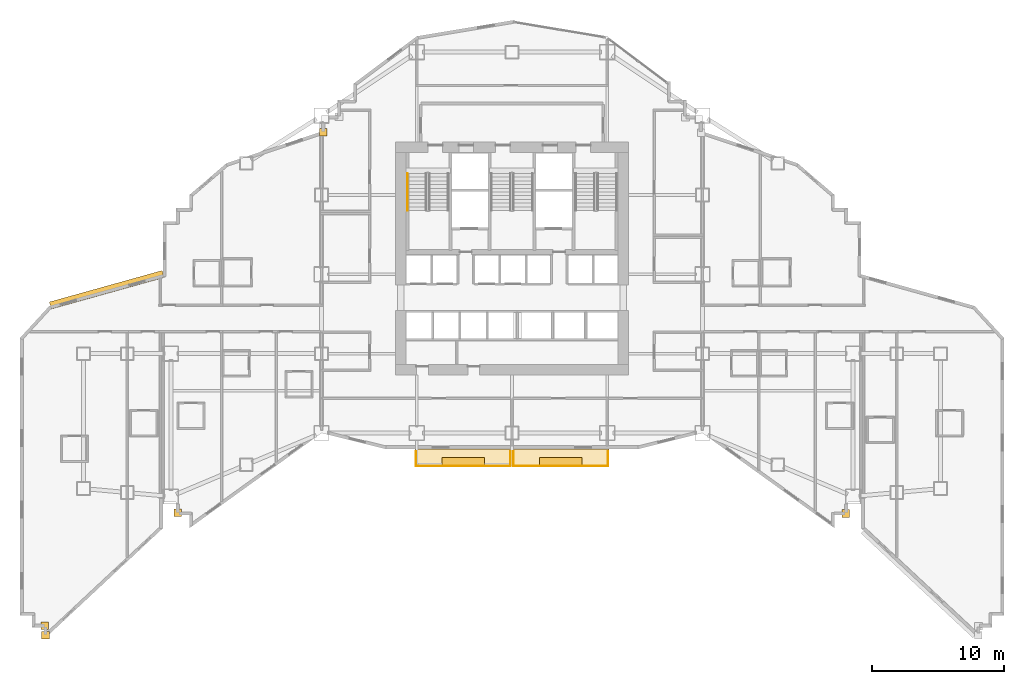
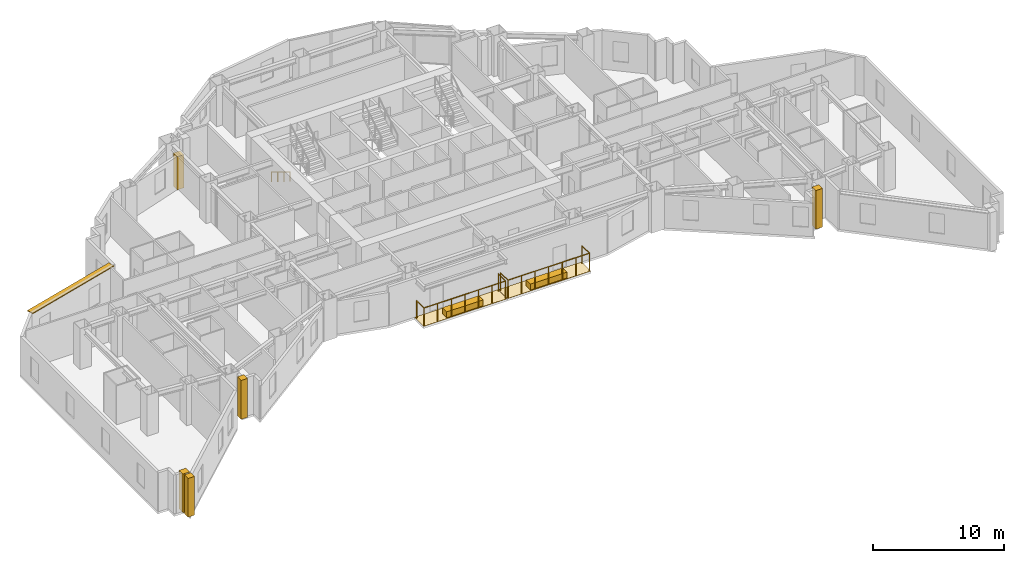
# One storey, part 14 of 16: 9 coverings, 5 railings, 1 shading device.
"""IFC4 building model written with IfcOpenShell, lengths in metres."""

from ifc_helpers import new_model, si_unit, direction, frame, origin, origin_2d, place, context, subcontext, project, spatial, polyline, rectangle, circle, outline, extrude, material, layer, layer_set, type_object, element, save


model = new_model("IFC4")

# Units and contexts
model_context = context("Model", 3, precision=1e-05, world=origin(), true_north=direction((0.0, 1.0)))
body_context = subcontext(model_context, "Body", "Model", "MODEL_VIEW")
ifc_project = project(units=[si_unit("LENGTHUNIT", "METRE"), si_unit("AREAUNIT", "SQUARE_METRE"), si_unit("VOLUMEUNIT", "CUBIC_METRE"), si_unit("PLANEANGLEUNIT", "RADIAN"), si_unit("MASSUNIT", "GRAM", prefix="KILO")], contexts=[model_context])

# Site, building, storey
site_placement = place(None, origin())
site = spatial("IfcSite", under=ifc_project, at=site_placement, CompositionType="ELEMENT")
building_placement = place(site_placement, origin())
building = spatial("IfcBuilding", under=site, at=building_placement, Name="Haolan Belvedere Tower", CompositionType="ELEMENT")
storey_placement = place(building_placement, frame((0.0, 0.0, 62.800048828125)))
storey = spatial("IfcBuildingStorey", under=building, at=storey_placement, Name="L15", CompositionType="ELEMENT", Elevation=62.800048828125)

# Coverings
ifc_material_1 = material(Name="Pale champagne-silver anodised aluminium rainscreen cladding", Category="aluminium")
ifc_layer_1 = layer(ifc_material_1, 0.034912109375, Name="Pale champagne-silver anodised aluminium rainscreen cladding")
ifc_layer_set_1 = layer_set([ifc_layer_1], Name="Pale champagne-silver anodised aluminium rainscreen cladding")
covering_type_1 = type_object("IfcCoveringType", Name="COV-CLAD-35", PredefinedType="CLADDING", material=ifc_layer_set_1)
for number, where, z_axis, x_axis, name in (
    (1, (3.077392578125, 7.02001953125, 0.0), (0.0, 0.0, 1.0), (1.0, 0.0, 0.0), "L15 pale-metal serrated corner cladding trim 1"),
    (2, (3.1201171875, 6.318603515625, 0.0), (0.0, 0.0, 1.0), (1.0, 0.0, 0.0), "L15 pale-metal serrated corner cladding trim 2"),
    (3, (13.1201171875, 15.5625, 0.0), (0.0, 0.0, 1.0), (1.0, 0.0, 0.0), "L15 pale-metal serrated corner cladding trim 3"),
    (4, (63.637451171875, 15.52001953125, 0.0), (0.0, 0.0, 1.0), (1.0, 0.0, 0.0), "L15 pale-metal serrated corner cladding trim 4"),
):
    element("IfcCovering", number, at=place(storey_placement, frame(where, z_axis=z_axis, x_axis=x_axis)), inside=storey, type_object=covering_type_1, Name=name, PredefinedType="CLADDING", context=body_context, shape_type="SweptSolid", body=[
        extrude(rectangle(XDim=0.580078125, YDim=0.580078125, at=origin_2d()), origin(), (0.0, 0.0, 1.0), 3.60009765625),
    ])
covering_1_placement = place(storey_placement, frame((24.1201171875, 44.35595703125, 0.0), z_axis=(0.0, 0.0, 1.0), x_axis=(1.0, 0.0, 0.0)))
element("IfcCovering", 5, at=covering_1_placement, inside=storey, type_object=covering_type_1, Name="L15 pale-metal serrated corner cladding trim 10", PredefinedType="CLADDING", context=body_context, shape_type="SweptSolid", body=[
    extrude(rectangle(XDim=0.580078125, YDim=0.580078125, at=origin_2d()), origin(), (0.0, 0.0, 1.0), 3.096923828125),
])
ifc_material_2 = material(Name="Engineered lightweight planted garden soil substrate", Category="masonry")
ifc_layer_2 = layer(ifc_material_2, 0.550048828125, Name="Engineered lightweight planted garden soil substrate")
ifc_layer_set_2 = layer_set([ifc_layer_2], Name="Engineered lightweight planted garden soil substrate")
covering_type_2 = type_object("IfcCoveringType", Name="COV-PLANT-550", PredefinedType="MEMBRANE", material=ifc_layer_set_2)
for number, where, z_axis, x_axis, name in (
    (6, (34.715087890625, 19.43994140625, 0.0), (0.0, 0.0, 1.0), (1.0, 0.0, 0.0), "L15 structural tree balcony PLANTER box 1"),
    (7, (42.0849609375, 19.43994140625, 0.0), (0.0, 0.0, 1.0), (1.0, 0.0, 0.0), "L15 structural tree balcony PLANTER box 2"),
):
    element("IfcCovering", number, at=place(storey_placement, frame(where, z_axis=z_axis, x_axis=x_axis)), inside=storey, type_object=covering_type_2, Name=name, PredefinedType="MEMBRANE", context=body_context, shape_type="SweptSolid", body=[
        extrude(rectangle(XDim=3.199951171875, YDim=0.64990234375, at=origin_2d()), origin(), (0.0, 0.0, 1.0), 0.550048828125),
    ])
ifc_material_3 = material(Name="Elastomeric waterproof roofing membrane and stone pavers", Category="masonry")
ifc_layer_3 = layer(ifc_material_3, 0.02001953125, Name="Elastomeric waterproof roofing membrane and stone pavers")
ifc_layer_set_3 = layer_set([ifc_layer_3], Name="Elastomeric waterproof roofing membrane and stone pavers")
covering_type_3 = type_object("IfcCoveringType", Name="COV-ROOF-20", PredefinedType="ROOFING", material=ifc_layer_set_3)
covering_2_placement = place(storey_placement, frame((0.0, 0.0, -0.02001953125)))
element("IfcCovering", 8, at=covering_2_placement, inside=storey, type_object=covering_type_3, Name="L15 tree-balcony waterproof membrane 1", PredefinedType="ROOFING", context=body_context, shape_type="SweptSolid", body=[
    extrude(outline(polyline([(31.050048828125, 19.02001953125), (38.3798828125, 19.02001953125), (38.3798828125, 20.39990234375), (31.050048828125, 20.39990234375), (31.050048828125, 19.02001953125)])), origin(), (0.0, 0.0, 1.0), 0.02001953125),
])
covering_3_placement = place(storey_placement, frame((0.0, 0.0, -0.02001953125)))
element("IfcCovering", 9, at=covering_3_placement, inside=storey, type_object=covering_type_3, Name="L15 tree-balcony waterproof membrane 2", PredefinedType="ROOFING", context=body_context, shape_type="SweptSolid", body=[
    extrude(outline(polyline([(38.419921875, 19.02001953125), (45.75, 19.02001953125), (45.75, 20.39990234375), (38.419921875, 20.39990234375), (38.419921875, 19.02001953125)])), origin(), (0.0, 0.0, 1.0), 0.02001953125),
])

# Railings
ifc_material_4 = material(Name="Brushed stainless steel 304", Category="steel")
railing_type_1 = type_object("IfcRailingType", Name="RL-STAIR-HND-900", PredefinedType="HANDRAIL", material=ifc_material_4)
railing_1_placement = place(storey_placement, frame((30.5, 41.22998046875, 0.172607421875)))
element("IfcRailing", 10, at=railing_1_placement, inside=storey, type_object=railing_type_1, Name="L15 ST1 stair handrail 1", PredefinedType="HANDRAIL", context=body_context, shape_type="SweptSolid", body=[
    extrude(circle(Radius=0.02392578125, at=origin_2d()), frame((0.0, 0.0, 0.8759765625), z_axis=(0.0, -0.851089632645, 0.525020415988), x_axis=(1.0, 0.0, 0.0)), (0.0, 0.0, 1.0), 3.2900390625),
    extrude(circle(Radius=0.02099609375, at=origin_2d()), origin(), (0.0, 0.0, 1.0), 0.851806640625),
    extrude(circle(Radius=0.02099609375, at=origin_2d()), frame((0.0, -0.933349609375, 0.57568359375)), (0.0, 0.0, 1.0), 0.851806640625),
    extrude(circle(Radius=0.02099609375, at=origin_2d()), frame((0.0, -1.86669921875, 1.151611328125)), (0.0, 0.0, 1.0), 0.851806640625),
    extrude(circle(Radius=0.02099609375, at=origin_2d()), frame((0.0, -2.800048828125, 1.727294921875)), (0.0, 0.0, 1.0), 0.851806640625),
])
ifc_material_5 = material(Name="Anodised aluminium and laminated glass balustrade", Category="aluminium")
railing_type_2 = type_object("IfcRailingType", Name="RL-TER-BAL-1150", PredefinedType="BALUSTRADE", material=ifc_material_5)
railing_2_placement = place(storey_placement, frame((31.1298828125, 19.10009765625, 0.0)))
element("IfcRailing", 11, at=railing_2_placement, inside=storey, type_object=railing_type_2, Name="L15 outdoor perimeter balustrade BAL-L15-1-1", PredefinedType="BALUSTRADE", context=body_context, shape_type="SweptSolid", body=[
    extrude(circle(Radius=0.02392578125, at=origin_2d()), frame((0.0, 0.0, 1.6259765625), z_axis=(0.0, 1.0, 0.0), x_axis=(-1.0, 0.0, 0.0)), (0.0, 0.0, 1.0), 1.119873046875),
    extrude(circle(Radius=0.02099609375, at=origin_2d()), origin(), (0.0, 0.0, 1.0), 1.601806640625),
    extrude(circle(Radius=0.02099609375, at=origin_2d()), frame((0.0, 1.119873046875, 0.0)), (0.0, 0.0, 1.0), 1.601806640625),
])
railing_3_placement = place(storey_placement, frame((38.300048828125, 20.219970703125, 0.0)))
element("IfcRailing", 12, at=railing_3_placement, inside=storey, type_object=railing_type_2, Name="L15 outdoor perimeter balustrade BAL-L15-1-2", PredefinedType="BALUSTRADE", context=body_context, shape_type="SweptSolid", body=[
    extrude(circle(Radius=0.02392578125, at=origin_2d()), frame((0.0, 0.0, 1.6259765625), z_axis=(0.0, -1.0, 0.0), x_axis=(1.0, 0.0, 0.0)), (0.0, 0.0, 1.0), 1.119873046875),
    extrude(circle(Radius=0.02392578125, at=origin_2d()), frame((0.0, -1.119873046875, 1.6259765625), z_axis=(-1.0, 0.0, 0.0), x_axis=(0.0, -1.0, 0.0)), (0.0, 0.0, 1.0), 7.170166015625),
    extrude(circle(Radius=0.02099609375, at=origin_2d()), origin(), (0.0, 0.0, 1.0), 1.601806640625),
    extrude(circle(Radius=0.02099609375, at=origin_2d()), frame((0.0, -1.119873046875, 0.0)), (0.0, 0.0, 1.0), 1.601806640625),
    extrude(circle(Radius=0.02099609375, at=origin_2d()), frame((-1.195068359375, -1.119873046875, 0.0)), (0.0, 0.0, 1.0), 1.601806640625),
    extrude(circle(Radius=0.02099609375, at=origin_2d()), frame((-2.39013671875, -1.119873046875, 0.0)), (0.0, 0.0, 1.0), 1.601806640625),
    extrude(circle(Radius=0.02099609375, at=origin_2d()), frame((-3.5849609375, -1.119873046875, 0.0)), (0.0, 0.0, 1.0), 1.601806640625),
    extrude(circle(Radius=0.02099609375, at=origin_2d()), frame((-4.780029296875, -1.119873046875, 0.0)), (0.0, 0.0, 1.0), 1.601806640625),
    extrude(circle(Radius=0.02099609375, at=origin_2d()), frame((-5.97509765625, -1.119873046875, 0.0)), (0.0, 0.0, 1.0), 1.601806640625),
    extrude(circle(Radius=0.02099609375, at=origin_2d()), frame((-7.170166015625, -1.119873046875, 0.0)), (0.0, 0.0, 1.0), 1.601806640625),
])
railing_4_placement = place(storey_placement, frame((38.5, 19.10009765625, 0.0)))
element("IfcRailing", 13, at=railing_4_placement, inside=storey, type_object=railing_type_2, Name="L15 outdoor perimeter balustrade BAL-L15-2-1", PredefinedType="BALUSTRADE", context=body_context, shape_type="SweptSolid", body=[
    extrude(circle(Radius=0.02392578125, at=origin_2d()), frame((0.0, 0.0, 1.6259765625), z_axis=(0.0, 1.0, 0.0), x_axis=(-1.0, 0.0, 0.0)), (0.0, 0.0, 1.0), 1.119873046875),
    extrude(circle(Radius=0.02099609375, at=origin_2d()), origin(), (0.0, 0.0, 1.0), 1.601806640625),
    extrude(circle(Radius=0.02099609375, at=origin_2d()), frame((0.0, 1.119873046875, 0.0)), (0.0, 0.0, 1.0), 1.601806640625),
])
railing_5_placement = place(storey_placement, frame((45.669921875, 20.219970703125, 0.0)))
element("IfcRailing", 14, at=railing_5_placement, inside=storey, type_object=railing_type_2, Name="L15 outdoor perimeter balustrade BAL-L15-2-2", PredefinedType="BALUSTRADE", context=body_context, shape_type="SweptSolid", body=[
    extrude(circle(Radius=0.02392578125, at=origin_2d()), frame((0.0, 0.0, 1.6259765625), z_axis=(0.0, -1.0, 0.0), x_axis=(1.0, 0.0, 0.0)), (0.0, 0.0, 1.0), 1.119873046875),
    extrude(circle(Radius=0.02392578125, at=origin_2d()), frame((0.0, -1.119873046875, 1.6259765625), z_axis=(-1.0, 0.0, 0.0), x_axis=(0.0, -1.0, 0.0)), (0.0, 0.0, 1.0), 7.169921875),
    extrude(circle(Radius=0.02099609375, at=origin_2d()), origin(), (0.0, 0.0, 1.0), 1.601806640625),
    extrude(circle(Radius=0.02099609375, at=origin_2d()), frame((0.0, -1.119873046875, 0.0)), (0.0, 0.0, 1.0), 1.601806640625),
    extrude(circle(Radius=0.02099609375, at=origin_2d()), frame((-1.195068359375, -1.119873046875, 0.0)), (0.0, 0.0, 1.0), 1.601806640625),
    extrude(circle(Radius=0.02099609375, at=origin_2d()), frame((-2.389892578125, -1.119873046875, 0.0)), (0.0, 0.0, 1.0), 1.601806640625),
    extrude(circle(Radius=0.02099609375, at=origin_2d()), frame((-3.5849609375, -1.119873046875, 0.0)), (0.0, 0.0, 1.0), 1.601806640625),
    extrude(circle(Radius=0.02099609375, at=origin_2d()), frame((-4.780029296875, -1.119873046875, 0.0)), (0.0, 0.0, 1.0), 1.601806640625),
    extrude(circle(Radius=0.02099609375, at=origin_2d()), frame((-5.974853515625, -1.119873046875, 0.0)), (0.0, 0.0, 1.0), 1.601806640625),
    extrude(circle(Radius=0.02099609375, at=origin_2d()), frame((-7.169921875, -1.119873046875, 0.0)), (0.0, 0.0, 1.0), 1.601806640625),
])

# Shading device
ifc_material_6 = material(Name="Anodised champagne-silver aluminium 6063-T6", Category="aluminium")
ifc_layer_4 = layer(ifc_material_6, 0.080078125, Name="Anodised champagne-silver aluminium 6063-T6")
ifc_layer_set_4 = layer_set([ifc_layer_4], Name="Anodised champagne-silver aluminium 6063-T6")
shading_device_type = type_object("IfcShadingDeviceType", Name="SHD-SUN-550", PredefinedType="USERDEFINED", material=ifc_layer_set_4)
shading_device_placement = place(storey_placement, frame((7.7548828125, 32.43603515625, 3.5), z_axis=(0.0, 0.0, 1.0), x_axis=(-0.963195414363, -0.268802146102, 0.0)))
element("IfcShadingDevice", 15, at=shading_device_placement, inside=storey, type_object=shading_device_type, Name="L15 pale-metal horizontal SUNSHADE band 57.1", ObjectType="SUNSHADE", PredefinedType="USERDEFINED", context=body_context, shape_type="SweptSolid", body=[
    extrude(rectangle(XDim=8.85546875, YDim=0.550048828125, at=origin_2d()), origin(), (0.0, 0.0, 1.0), 0.080078125),
])

save(model, "model.ifc")
